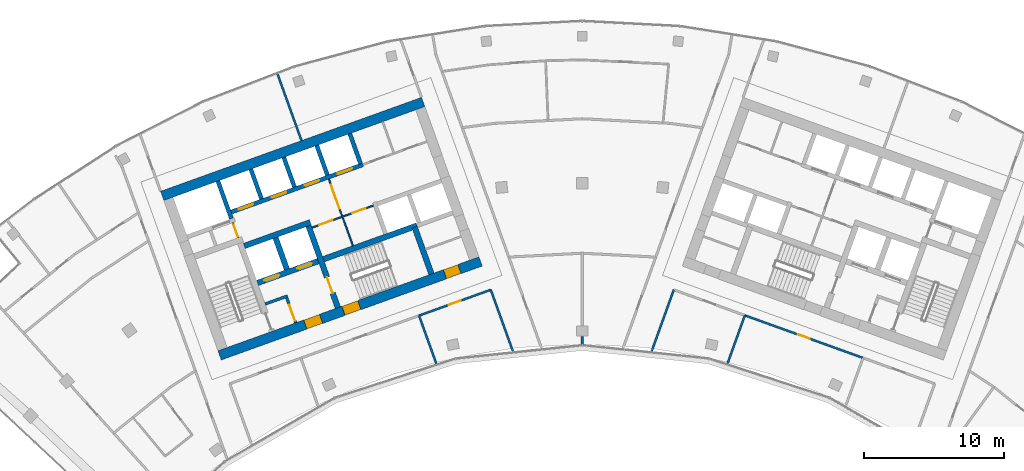
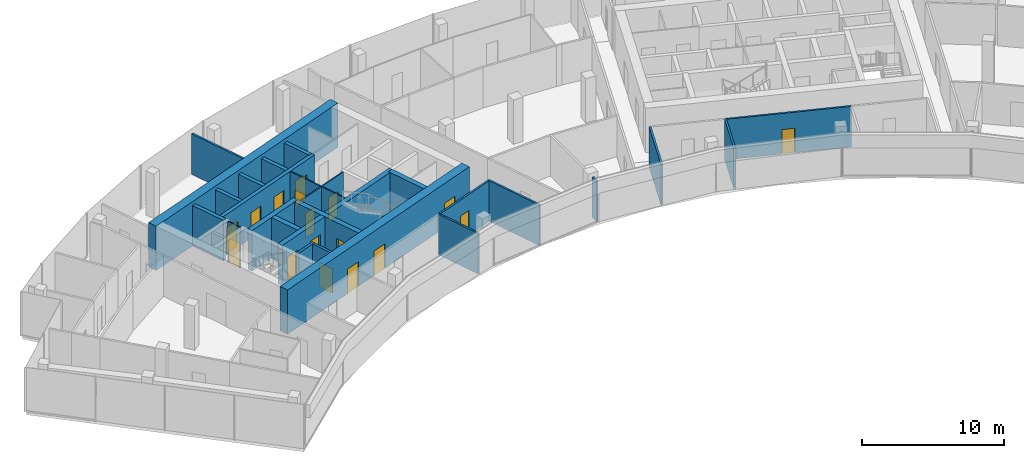
# One storey, part 13 of 18: 26 walls, 17 doors, 17 openings.
"""IFC4 building model written with IfcOpenShell, lengths in metres."""

from ifc_helpers import new_model, si_unit, direction, frame, frame_2d, origin, place, context, subcontext, project, spatial, rectangle, extrude, material, layer, layer_set, type_object, element, fill, save


model = new_model("IFC4")

# Units and contexts
model_context = context("Model", 3, precision=1e-05, world=origin(), true_north=direction((0.0, 1.0)))
body_context = subcontext(model_context, "Body", "Model", "MODEL_VIEW")
ifc_project = project(units=[si_unit("LENGTHUNIT", "METRE"), si_unit("AREAUNIT", "SQUARE_METRE"), si_unit("VOLUMEUNIT", "CUBIC_METRE"), si_unit("PLANEANGLEUNIT", "RADIAN"), si_unit("MASSUNIT", "GRAM", prefix="KILO")], contexts=[model_context])

# Site, building, storey
site_placement = place(None, origin())
site = spatial("IfcSite", under=ifc_project, at=site_placement, CompositionType="ELEMENT")
building_placement = place(site_placement, origin())
building = spatial("IfcBuilding", under=site, at=building_placement, Name="Stone Belt Terrace Tower", CompositionType="ELEMENT")
storey_placement = place(building_placement, frame((0.0, 0.0, 261.800048828125)))
storey = spatial("IfcBuildingStorey", under=building, at=storey_placement, Name="L63", CompositionType="ELEMENT", Elevation=261.800048828125)

# Wall, opening, door
ifc_material_1 = material(Name="Plasterboard partition")
ifc_layer_1 = layer(ifc_material_1, 0.10009765625)
ifc_layer_set_1 = layer_set([ifc_layer_1], Name="Core partition 100")
wall_type_1 = type_object("IfcWallType", Name="Core partition 100", PredefinedType="PARTITIONING", material=ifc_layer_set_1)
wall_1_placement = place(storey_placement, frame((-24.555908203125, 51.10400390625, 0.0), z_axis=(0.0, 0.0, 1.0), x_axis=(-0.338621735342, 0.94092258999, 0.0)))
wall_1 = element("IfcWall", 1, at=wall_1_placement, inside=storey, type_object=wall_type_1, Name="Core A wall", PredefinedType="PARTITIONING", context=body_context, shape_type="SweptSolid", body=[
    extrude(rectangle(XDim=1.14990234375, YDim=0.10009765625, at=frame_2d((0.574951171875, 0.0))), origin(), (0.0, 0.0, 1.0), 3.47998046875),
])
opening_1_placement = place(wall_1_placement, frame((0.050048828125, 0.0, 0.0)))
opening_1 = element("IfcOpeningElement", 2, at=opening_1_placement, cuts=wall_1, Name="Opening L63-C06", PredefinedType="OPENING", context=body_context, shape_type="SweptSolid", body=[
    extrude(rectangle(XDim=1.0, YDim=2.10009765625, at=frame_2d((0.5, 1.050048828125))), frame((0.0, 0.06005859375, 0.0), z_axis=(0.0, -1.0, 0.0), x_axis=(1.0, 0.0, 0.0)), (0.0, 0.0, 1.0), 0.1201171875),
])
ifc_material_2 = material(Name="Timber door leaf", Category="wood")
door_type_1 = type_object("IfcDoorType", Name="Core room door 1000", OperationType="SINGLE_SWING_LEFT", PredefinedType="DOOR", material=ifc_material_2)
door_1_placement = place(opening_1_placement, origin())
door_1 = element("IfcDoor", 3, at=door_1_placement, inside=storey, type_object=door_type_1, Name="Service lift lobby door core A", OperationType="SINGLE_SWING_RIGHT", OverallHeight=2.10009765625, OverallWidth=1.0, PredefinedType="DOOR", context=body_context, shape_type="SweptSolid", body=[
    extrude(rectangle(XDim=1.0, YDim=2.10009765625, at=frame_2d((0.5, 1.050048828125))), frame((0.0, 0.02490234375, 0.0), z_axis=(0.0, -1.0, 0.0), x_axis=(1.0, 0.0, 0.0)), (0.0, 0.0, 1.0), 0.050048828125),
])
fill(opening_1, door_1)

# Wall, openings, doors
wall_2_placement = place(storey_placement, frame((-19.29052734375, 51.829833984375, 0.0), z_axis=(0.0, 0.0, 1.0), x_axis=(0.940930240745, 0.338600475563, 0.0)))
wall_2 = element("IfcWall", 4, at=wall_2_placement, inside=storey, type_object=wall_type_1, Name="Core A wall", PredefinedType="PARTITIONING", context=body_context, shape_type="SweptSolid", body=[
    extrude(rectangle(XDim=4.64990234375, YDim=0.10009765625, at=frame_2d((2.324951171875, 0.0))), origin(), (0.0, 0.0, 1.0), 3.47998046875),
])
opening_2_placement = place(wall_2_placement, frame((0.550048828125, 0.0, 0.0)))
opening_2 = element("IfcOpeningElement", 5, at=opening_2_placement, cuts=wall_2, Name="Opening L63-C03", PredefinedType="OPENING", context=body_context, shape_type="SweptSolid", body=[
    extrude(rectangle(XDim=1.0, YDim=2.10009765625, at=frame_2d((0.5, 1.050048828125))), frame((0.0, 0.06005859375, 0.0), z_axis=(0.0, -1.0, 0.0), x_axis=(1.0, 0.0, 0.0)), (0.0, 0.0, 1.0), 0.1201171875),
])
opening_3_placement = place(wall_2_placement, frame((3.050048828125, 0.0, 0.0)))
opening_3 = element("IfcOpeningElement", 6, at=opening_3_placement, cuts=wall_2, Name="Opening L63-C04", PredefinedType="OPENING", context=body_context, shape_type="SweptSolid", body=[
    extrude(rectangle(XDim=1.0, YDim=2.10009765625, at=frame_2d((0.5, 1.050048828125))), frame((0.0, 0.06005859375, 0.0), z_axis=(0.0, -1.0, 0.0), x_axis=(1.0, 0.0, 0.0)), (0.0, 0.0, 1.0), 0.1201171875),
])
door_2_placement = place(opening_2_placement, origin())
door_2 = element("IfcDoor", 7, at=door_2_placement, inside=storey, type_object=door_type_1, Name="Door to Housekeeping store core A", OperationType="SINGLE_SWING_RIGHT", OverallHeight=2.10009765625, OverallWidth=1.0, PredefinedType="DOOR", context=body_context, shape_type="SweptSolid", body=[
    extrude(rectangle(XDim=1.0, YDim=2.10009765625, at=frame_2d((0.5, 1.050048828125))), frame((0.0, 0.02490234375, 0.0), z_axis=(0.0, -1.0, 0.0), x_axis=(1.0, 0.0, 0.0)), (0.0, 0.0, 1.0), 0.050048828125),
])
fill(opening_2, door_2)
door_3_placement = place(opening_3_placement, origin())
door_3 = element("IfcDoor", 8, at=door_3_placement, inside=storey, type_object=door_type_1, Name="Door to Tenant storage room core A", OperationType="SINGLE_SWING_LEFT", OverallHeight=2.10009765625, OverallWidth=1.0, PredefinedType="DOOR", context=body_context, shape_type="SweptSolid", body=[
    extrude(rectangle(XDim=1.0, YDim=2.10009765625, at=frame_2d((0.5, 1.050048828125))), frame((0.0, 0.02490234375, 0.0), z_axis=(0.0, -1.0, 0.0), x_axis=(1.0, 0.0, 0.0)), (0.0, 0.0, 1.0), 0.050048828125),
])
fill(opening_3, door_3)

# Wall, opening, door
wall_3_placement = place(storey_placement, frame((-16.38134765625, 50.53857421875, 0.0), z_axis=(0.0, 0.0, 1.0), x_axis=(-0.33860476744, 0.940928696271, 0.0)))
wall_3 = element("IfcWall", 9, at=wall_3_placement, inside=storey, type_object=wall_type_1, Name="Core A wall", PredefinedType="PARTITIONING", context=body_context, shape_type="SweptSolid", body=[
    extrude(rectangle(XDim=5.050048828125, YDim=0.10009765625, at=frame_2d((2.52490234375, 0.0))), origin(), (0.0, 0.0, 1.0), 3.47998046875),
])
opening_4_placement = place(wall_3_placement, frame((2.800048828125, 0.0, 0.0)))
opening_4 = element("IfcOpeningElement", 10, at=opening_4_placement, cuts=wall_3, Name="Opening L63-C07", PredefinedType="OPENING", context=body_context, shape_type="SweptSolid", body=[
    extrude(rectangle(XDim=1.800048828125, YDim=2.10009765625, at=frame_2d((0.89990234375, 1.050048828125))), frame((0.0, 0.06005859375, 0.0), z_axis=(0.0, -1.0, 0.0), x_axis=(1.0, 0.0, 0.0)), (0.0, 0.0, 1.0), 0.1201171875),
])
ifc_material_3 = material(Name="Glazed aluminium door leaf", Category="aluminium")
door_type_2 = type_object("IfcDoorType", Name="Lift lobby entrance door 1800", OperationType="DOUBLE_DOOR_SINGLE_SWING", PredefinedType="DOOR", material=ifc_material_3)
door_4_placement = place(opening_4_placement, origin())
door_4 = element("IfcDoor", 11, at=door_4_placement, inside=storey, type_object=door_type_2, Name="Lift lobby double door core A", OperationType="DOUBLE_DOOR_SINGLE_SWING", OverallHeight=2.10009765625, OverallWidth=1.800048828125, PredefinedType="DOOR", context=body_context, shape_type="SweptSolid", body=[
    extrude(rectangle(XDim=1.800048828125, YDim=2.10009765625, at=frame_2d((0.89990234375, 1.050048828125))), frame((0.0, 0.02490234375, 0.0), z_axis=(0.0, -1.0, 0.0), x_axis=(1.0, 0.0, 0.0)), (0.0, 0.0, 1.0), 0.050048828125),
])
fill(opening_4, door_4)

# Wall, openings, doors
ifc_material_4 = material(Name="Concrete B60", Category="concrete")
ifc_layer_2 = layer(ifc_material_4, 0.699951171875)
ifc_layer_set_2 = layer_set([ifc_layer_2], Name="Core wall 700 B60")
wall_type_2 = type_object("IfcWallType", Name="Core wall 700 B60", PredefinedType="SHEAR", material=ifc_layer_set_2)
wall_4_placement = place(storey_placement, frame((-25.890869140625, 42.705810546875, 0.0), z_axis=(0.0, 0.0, 1.0), x_axis=(0.940925130461, 0.338614676094, 0.0)))
wall_4 = element("IfcWall", 12, at=wall_4_placement, inside=storey, type_object=wall_type_2, Name="Core A wall concave L63", PredefinedType="SHEAR", context=body_context, shape_type="SweptSolid", body=[
    extrude(rectangle(XDim=19.800048828125, YDim=0.699951171875, at=frame_2d((9.89990234375, 0.0))), origin(), (0.0, 0.0, 1.0), 3.800048828125),
])
opening_5_placement = place(wall_4_placement, frame((6.5, 0.0, 0.0)))
opening_5 = element("IfcOpeningElement", 13, at=opening_5_placement, cuts=wall_4, Name="Opening L63-C11", PredefinedType="OPENING", context=body_context, shape_type="SweptSolid", body=[
    extrude(rectangle(XDim=1.199951171875, YDim=2.10009765625, at=frame_2d((0.60009765625, 1.050048828125))), frame((0.0, 0.35986328125, 0.0), z_axis=(0.0, -1.0, 0.0), x_axis=(1.0, 0.0, 0.0)), (0.0, 0.0, 1.0), 0.719970703125),
])
opening_6_placement = place(wall_4_placement, frame((9.39990234375, 0.0, 0.0)))
opening_6 = element("IfcOpeningElement", 14, at=opening_6_placement, cuts=wall_4, Name="Opening L63-C13", PredefinedType="OPENING", context=body_context, shape_type="SweptSolid", body=[
    extrude(rectangle(XDim=1.199951171875, YDim=2.10009765625, at=frame_2d((0.60009765625, 1.050048828125))), frame((0.0, 0.35986328125, 0.0), z_axis=(0.0, -1.0, 0.0), x_axis=(1.0, 0.0, 0.0)), (0.0, 0.0, 1.0), 0.719970703125),
])
opening_7_placement = place(wall_4_placement, frame((17.10009765625, 0.0, 0.0)))
opening_7 = element("IfcOpeningElement", 15, at=opening_7_placement, cuts=wall_4, Name="Opening L63-C15", PredefinedType="OPENING", context=body_context, shape_type="SweptSolid", body=[
    extrude(rectangle(XDim=1.10009765625, YDim=2.10009765625, at=frame_2d((0.550048828125, 1.050048828125))), frame((0.0, 0.35986328125, 0.0), z_axis=(0.0, -1.0, 0.0), x_axis=(1.0, 0.0, 0.0)), (0.0, 0.0, 1.0), 0.719970703125),
])
door_type_3 = type_object("IfcDoorType", Name="Core room door 1100", OperationType="SINGLE_SWING_LEFT", PredefinedType="DOOR", material=ifc_material_2)
door_5_placement = place(opening_7_placement, origin())
door_5 = element("IfcDoor", 16, at=door_5_placement, inside=storey, type_object=door_type_3, Name="Door to Cleaner's store core A", OperationType="SINGLE_SWING_RIGHT", OverallHeight=2.10009765625, OverallWidth=1.10009765625, PredefinedType="DOOR", context=body_context, shape_type="SweptSolid", body=[
    extrude(rectangle(XDim=1.10009765625, YDim=2.10009765625, at=frame_2d((0.550048828125, 1.050048828125))), frame((0.0, 0.330078125, 0.0), z_axis=(0.0, -1.0, 0.0), x_axis=(1.0, 0.0, 0.0)), (0.0, 0.0, 1.0), 0.659912109375),
])
fill(opening_7, door_5)
ifc_material_5 = material(Name="Steel door leaf", Category="steel")
door_type_4 = type_object("IfcDoorType", Name="Fire-fighting lobby door 1200", OperationType="SINGLE_SWING_LEFT", PredefinedType="DOOR", material=ifc_material_5)
door_6_placement = place(opening_5_placement, origin())
door_6 = element("IfcDoor", 17, at=door_6_placement, inside=storey, type_object=door_type_4, Name="Fire-fighting lobby door core A", OperationType="SINGLE_SWING_RIGHT", OverallHeight=2.10009765625, OverallWidth=1.199951171875, PredefinedType="DOOR", context=body_context, shape_type="SweptSolid", body=[
    extrude(rectangle(XDim=1.199951171875, YDim=2.10009765625, at=frame_2d((0.60009765625, 1.050048828125))), frame((0.0, 0.330078125, 0.0), z_axis=(0.0, -1.0, 0.0), x_axis=(1.0, 0.0, 0.0)), (0.0, 0.0, 1.0), 0.659912109375),
])
fill(opening_5, door_6)
door_type_5 = type_object("IfcDoorType", Name="Stair door 1200", OperationType="SINGLE_SWING_LEFT", PredefinedType="DOOR", material=ifc_material_5)
door_7_placement = place(opening_6_placement, origin())
door_7 = element("IfcDoor", 18, at=door_7_placement, inside=storey, type_object=door_type_5, Name="Stair 2 exit door core A", OperationType="SINGLE_SWING_LEFT", OverallHeight=2.10009765625, OverallWidth=1.199951171875, PredefinedType="DOOR", context=body_context, shape_type="SweptSolid", body=[
    extrude(rectangle(XDim=1.199951171875, YDim=2.10009765625, at=frame_2d((0.60009765625, 1.050048828125))), frame((0.0, 0.330078125, 0.0), z_axis=(0.0, -1.0, 0.0), x_axis=(1.0, 0.0, 0.0)), (0.0, 0.0, 1.0), 0.659912109375),
])
fill(opening_6, door_7)

# Walls
wall_5_placement = place(storey_placement, frame((-29.988037109375, 54.0908203125, 0.0), z_axis=(0.0, 0.0, 1.0), x_axis=(0.940919787944, 0.33862952124, 0.0)))
element("IfcWall", 19, at=wall_5_placement, inside=storey, type_object=wall_type_2, Name="Core A wall convex L63", PredefinedType="SHEAR", context=body_context, shape_type="SweptSolid", body=[
    extrude(rectangle(XDim=19.7998046875, YDim=0.699951171875, at=frame_2d((9.89990234375, 0.0))), origin(), (0.0, 0.0, 1.0), 3.800048828125),
])
ifc_material_6 = material(Name="Concrete B80", Category="concrete")
ifc_layer_3 = layer(ifc_material_6, 0.39990234375)
ifc_layer_set_3 = layer_set([ifc_layer_3], Name="Fire-fighting lift shaft wall 400")
wall_type_3 = type_object("IfcWallType", Name="Fire-fighting lift shaft wall 400", PredefinedType="SHEAR", material=ifc_layer_set_3)
wall_6_placement = place(storey_placement, frame((-24.130615234375, 50.512939453125, 0.0), z_axis=(0.0, 0.0, 1.0), x_axis=(0.94091168377, 0.338652038744, 0.0)))
element("IfcWall", 20, at=wall_6_placement, inside=storey, type_object=wall_type_3, Name="Core A wall", PredefinedType="SHEAR", context=body_context, shape_type="SweptSolid", body=[
    extrude(rectangle(XDim=5.000244140625, YDim=0.39990234375, at=frame_2d((2.5, 0.0))), origin(), (0.0, 0.0, 1.0), 3.47998046875),
])
wall_7_placement = place(storey_placement, frame((-21.0859375, 48.845458984375, 0.0), z_axis=(0.0, 0.0, 1.0), x_axis=(-0.338629416206, 0.940919825745, 0.0)))
element("IfcWall", 21, at=wall_7_placement, inside=storey, type_object=wall_type_3, Name="Core A wall", PredefinedType="SHEAR", context=body_context, shape_type="SweptSolid", body=[
    extrude(rectangle(XDim=2.400146484375, YDim=0.39990234375, at=frame_2d((1.2001953125, 0.0))), origin(), (0.0, 0.0, 1.0), 3.47998046875),
])
ifc_layer_4 = layer(ifc_material_6, 0.300048828125)
ifc_layer_set_4 = layer_set([ifc_layer_4], Name="Lift shaft wall 300")
wall_type_4 = type_object("IfcWallType", Name="Lift shaft wall 300", PredefinedType="SHEAR", material=ifc_layer_set_4)
wall_8_placement = place(storey_placement, frame((-25.046875, 52.46826171875, 0.0), z_axis=(0.0, 0.0, 1.0), x_axis=(-0.338549588058, 0.940948551423, 0.0)))
element("IfcWall", 22, at=wall_8_placement, inside=storey, type_object=wall_type_4, Name="Core A wall", PredefinedType="SHEAR", context=body_context, shape_type="SweptSolid", body=[
    extrude(rectangle(XDim=2.849853515625, YDim=0.300048828125, at=frame_2d((1.4248046875, 0.0))), origin(), (0.0, 0.0, 1.0), 3.47998046875),
])

# Wall, openings, doors
wall_9_placement = place(storey_placement, frame((-25.05810546875, 52.9423828125, 0.0), z_axis=(0.0, 0.0, 1.0), x_axis=(0.940924441602, 0.338616590255, 0.0)))
wall_9 = element("IfcWall", 23, at=wall_9_placement, inside=storey, type_object=wall_type_4, Name="Core A wall", PredefinedType="SHEAR", context=body_context, shape_type="SweptSolid", body=[
    extrude(rectangle(XDim=10.000244140625, YDim=0.300048828125, at=frame_2d((5.0, 0.0))), origin(), (0.0, 0.0, 1.0), 3.47998046875),
])
opening_8_placement = place(wall_9_placement, frame((0.570068359375, 0.0, 0.0)))
opening_8 = element("IfcOpeningElement", 24, at=opening_8_placement, cuts=wall_9, Name="Opening L63-LD01", PredefinedType="OPENING", context=body_context, shape_type="SweptSolid", body=[
    extrude(rectangle(XDim=1.10009765625, YDim=2.199951171875, at=frame_2d((0.550048828125, 1.10009765625))), frame((0.0, 0.159912109375, 0.0), z_axis=(0.0, -1.0, 0.0), x_axis=(1.0, 0.0, 0.0)), (0.0, 0.0, 1.0), 0.320068359375),
])
opening_9_placement = place(wall_9_placement, frame((3.070068359375, 0.0, 0.0)))
opening_9 = element("IfcOpeningElement", 25, at=opening_9_placement, cuts=wall_9, Name="Opening L63-LD02", PredefinedType="OPENING", context=body_context, shape_type="SweptSolid", body=[
    extrude(rectangle(XDim=1.10009765625, YDim=2.199951171875, at=frame_2d((0.550048828125, 1.10009765625))), frame((0.0, 0.159912109375, 0.0), z_axis=(0.0, -1.0, 0.0), x_axis=(1.0, 0.0, 0.0)), (0.0, 0.0, 1.0), 0.320068359375),
])
opening_10_placement = place(wall_9_placement, frame((5.570068359375, 0.0, 0.0)))
opening_10 = element("IfcOpeningElement", 26, at=opening_10_placement, cuts=wall_9, Name="Opening L63-LD03", PredefinedType="OPENING", context=body_context, shape_type="SweptSolid", body=[
    extrude(rectangle(XDim=1.10009765625, YDim=2.199951171875, at=frame_2d((0.550048828125, 1.10009765625))), frame((0.0, 0.159912109375, 0.0), z_axis=(0.0, -1.0, 0.0), x_axis=(1.0, 0.0, 0.0)), (0.0, 0.0, 1.0), 0.320068359375),
])
opening_11_placement = place(wall_9_placement, frame((8.070068359375, 0.0, 0.0)))
opening_11 = element("IfcOpeningElement", 27, at=opening_11_placement, cuts=wall_9, Name="Opening L63-LD04", PredefinedType="OPENING", context=body_context, shape_type="SweptSolid", body=[
    extrude(rectangle(XDim=1.10009765625, YDim=2.199951171875, at=frame_2d((0.550048828125, 1.10009765625))), frame((0.0, 0.159912109375, 0.0), z_axis=(0.0, -1.0, 0.0), x_axis=(1.0, 0.0, 0.0)), (0.0, 0.0, 1.0), 0.320068359375),
])
ifc_material_7 = material(Name="Stainless steel door leaf", Category="steel")
door_type_6 = type_object("IfcDoorType", Name="Landing door 1100", OperationType="SLIDING_TO_LEFT", PredefinedType="DOOR", material=ifc_material_7)
door_8_placement = place(opening_8_placement, origin())
door_8 = element("IfcDoor", 28, at=door_8_placement, inside=storey, type_object=door_type_6, Name="Landing door HR1 core A", OperationType="SLIDING_TO_LEFT", OverallHeight=2.199951171875, OverallWidth=1.10009765625, PredefinedType="DOOR", context=body_context, shape_type="SweptSolid", body=[
    extrude(rectangle(XDim=1.10009765625, YDim=2.199951171875, at=frame_2d((0.550048828125, 1.10009765625))), frame((0.0, 0.02490234375, 0.0), z_axis=(0.0, -1.0, 0.0), x_axis=(1.0, 0.0, 0.0)), (0.0, 0.0, 1.0), 0.050048828125),
])
fill(opening_8, door_8)
door_9_placement = place(opening_9_placement, origin())
door_9 = element("IfcDoor", 29, at=door_9_placement, inside=storey, type_object=door_type_6, Name="Landing door HR2 core A", OperationType="SLIDING_TO_LEFT", OverallHeight=2.199951171875, OverallWidth=1.10009765625, PredefinedType="DOOR", context=body_context, shape_type="SweptSolid", body=[
    extrude(rectangle(XDim=1.10009765625, YDim=2.199951171875, at=frame_2d((0.550048828125, 1.10009765625))), frame((0.0, 0.02490234375, 0.0), z_axis=(0.0, -1.0, 0.0), x_axis=(1.0, 0.0, 0.0)), (0.0, 0.0, 1.0), 0.050048828125),
])
fill(opening_9, door_9)
door_10_placement = place(opening_10_placement, origin())
door_10 = element("IfcDoor", 30, at=door_10_placement, inside=storey, type_object=door_type_6, Name="Landing door HR3 core A", OperationType="SLIDING_TO_LEFT", OverallHeight=2.199951171875, OverallWidth=1.10009765625, PredefinedType="DOOR", context=body_context, shape_type="SweptSolid", body=[
    extrude(rectangle(XDim=1.10009765625, YDim=2.199951171875, at=frame_2d((0.550048828125, 1.10009765625))), frame((0.0, 0.02490234375, 0.0), z_axis=(0.0, -1.0, 0.0), x_axis=(1.0, 0.0, 0.0)), (0.0, 0.0, 1.0), 0.050048828125),
])
fill(opening_10, door_10)
door_11_placement = place(opening_11_placement, origin())
door_11 = element("IfcDoor", 31, at=door_11_placement, inside=storey, type_object=door_type_6, Name="Landing door HR4 core A", OperationType="SLIDING_TO_LEFT", OverallHeight=2.199951171875, OverallWidth=1.10009765625, PredefinedType="DOOR", context=body_context, shape_type="SweptSolid", body=[
    extrude(rectangle(XDim=1.10009765625, YDim=2.199951171875, at=frame_2d((0.550048828125, 1.10009765625))), frame((0.0, 0.02490234375, 0.0), z_axis=(0.0, -1.0, 0.0), x_axis=(1.0, 0.0, 0.0)), (0.0, 0.0, 1.0), 0.050048828125),
])
fill(opening_11, door_11)

# Walls
wall_10_placement = place(storey_placement, frame((-22.897705078125, 53.87939453125, 0.0), z_axis=(0.0, 0.0, 1.0), x_axis=(-0.338535034312, 0.940953787677, 0.0)))
element("IfcWall", 32, at=wall_10_placement, inside=storey, type_object=wall_type_4, Name="Core A wall", PredefinedType="SHEAR", context=body_context, shape_type="SweptSolid", body=[
    extrude(rectangle(XDim=2.25, YDim=0.300048828125, at=frame_2d((1.125, 0.0))), origin(), (0.0, 0.0, 1.0), 3.47998046875),
])
wall_11_placement = place(storey_placement, frame((-20.54541015625, 54.72607421875, 0.0), z_axis=(0.0, 0.0, 1.0), x_axis=(-0.338569601369, 0.940941350472, 0.0)))
element("IfcWall", 33, at=wall_11_placement, inside=storey, type_object=wall_type_4, Name="Core A wall", PredefinedType="SHEAR", context=body_context, shape_type="SweptSolid", body=[
    extrude(rectangle(XDim=2.249755859375, YDim=0.300048828125, at=frame_2d((1.125, 0.0))), origin(), (0.0, 0.0, 1.0), 3.47998046875),
])
wall_12_placement = place(storey_placement, frame((-18.193115234375, 55.572509765625, 0.0), z_axis=(0.0, 0.0, 1.0), x_axis=(-0.338535034312, 0.940953787677, 0.0)))
element("IfcWall", 34, at=wall_12_placement, inside=storey, type_object=wall_type_4, Name="Core A wall", PredefinedType="SHEAR", context=body_context, shape_type="SweptSolid", body=[
    extrude(rectangle(XDim=2.25, YDim=0.300048828125, at=frame_2d((1.125, 0.0))), origin(), (0.0, 0.0, 1.0), 3.47998046875),
])
wall_13_placement = place(storey_placement, frame((-15.82373046875, 56.3720703125, 0.0), z_axis=(0.0, 0.0, 1.0), x_axis=(-0.338621735342, 0.94092258999, 0.0)))
element("IfcWall", 35, at=wall_13_placement, inside=storey, type_object=wall_type_4, Name="Core A wall", PredefinedType="SHEAR", context=body_context, shape_type="SweptSolid", body=[
    extrude(rectangle(XDim=2.300048828125, YDim=0.300048828125, at=frame_2d((1.14990234375, 0.0))), origin(), (0.0, 0.0, 1.0), 3.47998046875),
])
ifc_material_8 = material(Name="Gypsum board partition")
ifc_layer_5 = layer(ifc_material_8, 0.14990234375)
ifc_layer_set_5 = layer_set([ifc_layer_5], Name="PARTITION 150 EI 60")
wall_type_5 = type_object("IfcWallType", Name="PARTITION 150 EI 60", PredefinedType="PARTITIONING", material=ifc_layer_set_5)
wall_14_placement = place(storey_placement, frame((-4.946044921875, 42.980224609375, 0.0), z_axis=(0.0, 0.0, 1.0), x_axis=(-0.338699196287, 0.940894709537, 0.0)))
element("IfcWall", 36, at=wall_14_placement, inside=storey, type_object=wall_type_5, Name="L63/wall/i009", PredefinedType="PARTITIONING", context=body_context, shape_type="SweptSolid", body=[
    extrude(rectangle(XDim=4.691162109375, YDim=0.14990234375, at=frame_2d((2.345703125, 0.0))), origin(), (0.0, 0.0, 1.0), 3.47998046875),
])

# Wall, opening, door
wall_15_placement = place(storey_placement, frame((-6.532958984375, 47.387939453125, 0.0), z_axis=(0.0, 0.0, 1.0), x_axis=(-0.940930243135, -0.338600468922, 0.0)))
wall_15 = element("IfcWall", 37, at=wall_15_placement, inside=storey, type_object=wall_type_5, Name="L63/wall/i018", PredefinedType="PARTITIONING", context=body_context, shape_type="SweptSolid", body=[
    extrude(rectangle(XDim=5.44873046875, YDim=0.14990234375, at=frame_2d((2.724365234375, 0.0))), origin(), (0.0, 0.0, 1.0), 3.47998046875),
])
opening_12_placement = place(wall_15_placement, frame((2.2744140625, 0.0, 0.0)))
opening_12 = element("IfcOpeningElement", 38, at=opening_12_placement, cuts=wall_15, Name="Opening D-E1-03", PredefinedType="OPENING", context=body_context, shape_type="SweptSolid", body=[
    extrude(rectangle(XDim=0.89990234375, YDim=2.10009765625, at=frame_2d((0.449951171875, 1.050048828125))), frame((0.0, 0.0849609375, 0.0), z_axis=(0.0, -1.0, 0.0), x_axis=(1.0, 0.0, 0.0)), (0.0, 0.0, 1.0), 0.169921875),
])
door_type_7 = type_object("IfcDoorType", Name="OFFICE DOOR 900 X 2100", OperationType="NOTDEFINED", PredefinedType="DOOR", material=ifc_material_2)
door_12_placement = place(opening_12_placement, origin())
door_12 = element("IfcDoor", 39, at=door_12_placement, inside=storey, type_object=door_type_7, Name="L63/door/i03", OperationType="SINGLE_SWING_RIGHT", OverallHeight=2.10009765625, OverallWidth=0.89990234375, PredefinedType="DOOR", context=body_context, shape_type="SweptSolid", body=[
    extrude(rectangle(XDim=0.89990234375, YDim=2.10009765625, at=frame_2d((0.449951171875, 1.050048828125))), frame((0.0, 0.02490234375, 0.0), z_axis=(0.0, -1.0, 0.0), x_axis=(1.0, 0.0, 0.0)), (0.0, 0.0, 1.0), 0.050048828125),
])
fill(opening_12, door_12)

# Walls
wall_16_placement = place(storey_placement, frame((-11.654052734375, 45.5439453125, 0.0), z_axis=(0.0, 0.0, 1.0), x_axis=(0.33873365489, -0.940882304566, 0.0)))
element("IfcWall", 40, at=wall_16_placement, inside=storey, type_object=wall_type_5, Name="L63/wall/i020", PredefinedType="PARTITIONING", context=body_context, shape_type="SweptSolid", body=[
    extrude(rectangle(XDim=3.65625, YDim=0.14990234375, at=frame_2d((1.828125, 0.0))), origin(), (0.0, 0.0, 1.0), 3.47998046875),
])
wall_17_placement = place(storey_placement, frame((-21.7529296875, 62.783203125, 0.0), z_axis=(0.0, 0.0, 1.0), x_axis=(0.338692023406, -0.940897291568, 0.0)))
element("IfcWall", 41, at=wall_17_placement, inside=storey, type_object=wall_type_5, Name="L63/wall/i021", PredefinedType="PARTITIONING", context=body_context, shape_type="SweptSolid", body=[
    extrude(rectangle(XDim=5.0400390625, YDim=0.14990234375, at=frame_2d((2.52001953125, 0.0))), origin(), (0.0, 0.0, 1.0), 3.47998046875),
])
wall_18_placement = place(storey_placement, frame((6.534912109375, 47.39404296875, 0.0), z_axis=(0.0, 0.0, 1.0), x_axis=(-0.338699196287, -0.940894709537, 0.0)))
element("IfcWall", 42, at=wall_18_placement, inside=storey, type_object=wall_type_5, Name="L63/wall/i022", PredefinedType="PARTITIONING", context=body_context, shape_type="SweptSolid", body=[
    extrude(rectangle(XDim=4.691162109375, YDim=0.14990234375, at=frame_2d((2.345703125, 0.0))), origin(), (0.0, 0.0, 1.0), 3.47998046875),
])

# Wall, opening, door
wall_19_placement = place(storey_placement, frame((20.047119140625, 42.52392578125, 0.0), z_axis=(0.0, 0.0, 1.0), x_axis=(-0.9409189555, 0.338631834269, 0.0)))
wall_19 = element("IfcWall", 43, at=wall_19_placement, inside=storey, type_object=wall_type_5, Name="L63/wall/i037", PredefinedType="PARTITIONING", context=body_context, shape_type="SweptSolid", body=[
    extrude(rectangle(XDim=8.977294921875, YDim=0.14990234375, at=frame_2d((4.48876953125, 0.0))), origin(), (0.0, 0.0, 1.0), 3.47998046875),
])
opening_13_placement = place(wall_19_placement, frame((4.03857421875, 0.0, 0.0)))
opening_13 = element("IfcOpeningElement", 44, at=opening_13_placement, cuts=wall_19, Name="Opening D-E1-07", PredefinedType="OPENING", context=body_context, shape_type="SweptSolid", body=[
    extrude(rectangle(XDim=0.89990234375, YDim=2.10009765625, at=frame_2d((0.449951171875, 1.050048828125))), frame((0.0, 0.0849609375, 0.0), z_axis=(0.0, -1.0, 0.0), x_axis=(1.0, 0.0, 0.0)), (0.0, 0.0, 1.0), 0.169921875),
])
door_13_placement = place(opening_13_placement, origin())
door_13 = element("IfcDoor", 45, at=door_13_placement, inside=storey, type_object=door_type_7, Name="L63/door/i07", OperationType="SINGLE_SWING_RIGHT", OverallHeight=2.10009765625, OverallWidth=0.89990234375, PredefinedType="DOOR", context=body_context, shape_type="SweptSolid", body=[
    extrude(rectangle(XDim=0.89990234375, YDim=2.10009765625, at=frame_2d((0.449951171875, 1.050048828125))), frame((0.0, 0.02490234375, 0.0), z_axis=(0.0, -1.0, 0.0), x_axis=(1.0, 0.0, 0.0)), (0.0, 0.0, 1.0), 0.050048828125),
])
fill(opening_13, door_13)

# Walls
wall_20_placement = place(storey_placement, frame((11.60595703125, 45.56201171875, 0.0), z_axis=(0.0, 0.0, 1.0), x_axis=(-0.338520972253, -0.940958846786, 0.0)))
element("IfcWall", 46, at=wall_20_placement, inside=storey, type_object=wall_type_5, Name="L63/wall/i039", PredefinedType="PARTITIONING", context=body_context, shape_type="SweptSolid", body=[
    extrude(rectangle(XDim=3.65869140625, YDim=0.14990234375, at=frame_2d((1.829345703125, 0.0))), origin(), (0.0, 0.0, 1.0), 3.47998046875),
])
wall_21_placement = place(storey_placement, frame((0.0, 44.06494140625, 0.0), z_axis=(0.0, 0.0, 1.0), x_axis=(0.0, -1.0, 0.0)))
element("IfcWall", 47, at=wall_21_placement, inside=storey, type_object=wall_type_5, Name="L63/wall/i076", PredefinedType="PARTITIONING", context=body_context, shape_type="SweptSolid", body=[
    extrude(rectangle(XDim=0.56494140625, YDim=0.14990234375, at=frame_2d((0.282470703125, 0.0))), origin(), (0.0, 0.0, 1.0), 3.47998046875),
])
ifc_material_9 = material(Name="Concrete masonry block", Category="masonry")
ifc_layer_6 = layer(ifc_material_9, 0.199951171875)
ifc_layer_set_6 = layer_set([ifc_layer_6], Name="Rated lobby wall 200")
wall_type_6 = type_object("IfcWallType", Name="Rated lobby wall 200", PredefinedType="PARTITIONING", material=ifc_layer_set_6)
wall_22_placement = place(storey_placement, frame((-22.640625, 46.373046875, 0.0), z_axis=(0.0, 0.0, 1.0), x_axis=(0.940966110313, 0.338500781747, 0.0)))
element("IfcWall", 48, at=wall_22_placement, inside=storey, type_object=wall_type_6, Name="Core A wall", PredefinedType="PARTITIONING", context=body_context, shape_type="SweptSolid", body=[
    extrude(rectangle(XDim=1.699951171875, YDim=0.199951171875, at=frame_2d((0.85009765625, 0.0))), origin(), (0.0, 0.0, 1.0), 3.47998046875),
])

# Wall, opening, door
wall_23_placement = place(storey_placement, frame((-20.4580078125, 45.032958984375, 0.0), z_axis=(0.0, 0.0, 1.0), x_axis=(-0.338573865316, 0.940939816208, 0.0)))
wall_23 = element("IfcWall", 49, at=wall_23_placement, inside=storey, type_object=wall_type_6, Name="Core A wall", PredefinedType="PARTITIONING", context=body_context, shape_type="SweptSolid", body=[
    extrude(rectangle(XDim=1.900146484375, YDim=0.199951171875, at=frame_2d((0.9501953125, 0.0))), origin(), (0.0, 0.0, 1.0), 3.47998046875),
])
opening_14_placement = place(wall_23_placement, frame((0.14990234375, 0.0, 0.0)))
opening_14 = element("IfcOpeningElement", 50, at=opening_14_placement, cuts=wall_23, Name="Opening L63-C10", PredefinedType="OPENING", context=body_context, shape_type="SweptSolid", body=[
    extrude(rectangle(XDim=1.199951171875, YDim=2.10009765625, at=frame_2d((0.60009765625, 1.050048828125))), frame((0.0, 0.10986328125, 0.0), z_axis=(0.0, -1.0, 0.0), x_axis=(1.0, 0.0, 0.0)), (0.0, 0.0, 1.0), 0.219970703125),
])
door_14_placement = place(opening_14_placement, origin())
door_14 = element("IfcDoor", 51, at=door_14_placement, inside=storey, type_object=door_type_5, Name="Stair airlock door core A", OperationType="SINGLE_SWING_RIGHT", OverallHeight=2.10009765625, OverallWidth=1.199951171875, PredefinedType="DOOR", context=body_context, shape_type="SweptSolid", body=[
    extrude(rectangle(XDim=1.199951171875, YDim=2.10009765625, at=frame_2d((0.60009765625, 1.050048828125))), frame((0.0, 0.02490234375, 0.0), z_axis=(0.0, -1.0, 0.0), x_axis=(1.0, 0.0, 0.0)), (0.0, 0.0, 1.0), 0.050048828125),
])
fill(opening_14, door_14)

# Wall, openings, doors
ifc_layer_7 = layer(ifc_material_6, 0.39990234375)
ifc_layer_set_7 = layer_set([ifc_layer_7], Name="Stair enclosure wall 400")
wall_type_7 = type_object("IfcWallType", Name="Stair enclosure wall 400", PredefinedType="SHEAR", material=ifc_layer_set_7)
wall_24_placement = place(storey_placement, frame((-23.182373046875, 47.87841796875, 0.0), z_axis=(0.0, 0.0, 1.0), x_axis=(0.940921101762, 0.338625870628, 0.0)))
wall_24 = element("IfcWall", 52, at=wall_24_placement, inside=storey, type_object=wall_type_7, Name="Core A wall", PredefinedType="SHEAR", context=body_context, shape_type="SweptSolid", body=[
    extrude(rectangle(XDim=12.10009765625, YDim=0.39990234375, at=frame_2d((6.050048828125, 0.0))), origin(), (0.0, 0.0, 1.0), 3.47998046875),
])
opening_15_placement = place(wall_24_placement, frame((0.52001953125, 0.0, 0.0)))
opening_15 = element("IfcOpeningElement", 53, at=opening_15_placement, cuts=wall_24, Name="Opening L63-LD05", PredefinedType="OPENING", context=body_context, shape_type="SweptSolid", body=[
    extrude(rectangle(XDim=1.10009765625, YDim=2.199951171875, at=frame_2d((0.550048828125, 1.10009765625))), frame((0.0, 0.2099609375, 0.0), z_axis=(0.0, -1.0, 0.0), x_axis=(1.0, 0.0, 0.0)), (0.0, 0.0, 1.0), 0.419921875),
])
opening_16_placement = place(wall_24_placement, frame((3.02001953125, 0.0, 0.0)))
opening_16 = element("IfcOpeningElement", 54, at=opening_16_placement, cuts=wall_24, Name="Opening L63-LD06", PredefinedType="OPENING", context=body_context, shape_type="SweptSolid", body=[
    extrude(rectangle(XDim=1.10009765625, YDim=2.199951171875, at=frame_2d((0.550048828125, 1.10009765625))), frame((0.0, 0.2099609375, 0.0), z_axis=(0.0, -1.0, 0.0), x_axis=(1.0, 0.0, 0.0)), (0.0, 0.0, 1.0), 0.419921875),
])
door_15_placement = place(opening_15_placement, origin())
door_15 = element("IfcDoor", 55, at=door_15_placement, inside=storey, type_object=door_type_6, Name="Landing door FF1 core A", OperationType="SLIDING_TO_LEFT", OverallHeight=2.199951171875, OverallWidth=1.10009765625, PredefinedType="DOOR", context=body_context, shape_type="SweptSolid", body=[
    extrude(rectangle(XDim=1.10009765625, YDim=2.199951171875, at=frame_2d((0.550048828125, 1.10009765625))), frame((0.0, 0.02490234375, 0.0), z_axis=(0.0, -1.0, 0.0), x_axis=(1.0, 0.0, 0.0)), (0.0, 0.0, 1.0), 0.050048828125),
])
fill(opening_15, door_15)
door_16_placement = place(opening_16_placement, origin())
door_16 = element("IfcDoor", 56, at=door_16_placement, inside=storey, type_object=door_type_6, Name="Landing door FF2 core A", OperationType="SLIDING_TO_LEFT", OverallHeight=2.199951171875, OverallWidth=1.10009765625, PredefinedType="DOOR", context=body_context, shape_type="SweptSolid", body=[
    extrude(rectangle(XDim=1.10009765625, YDim=2.199951171875, at=frame_2d((0.550048828125, 1.10009765625))), frame((0.0, 0.02490234375, 0.0), z_axis=(0.0, -1.0, 0.0), x_axis=(1.0, 0.0, 0.0)), (0.0, 0.0, 1.0), 0.050048828125),
])
fill(opening_16, door_16)

# Wall, opening, door
wall_25_placement = place(storey_placement, frame((-17.447021484375, 46.116455078125, 0.0), z_axis=(0.0, 0.0, 1.0), x_axis=(-0.33860791464, 0.940927563707, 0.0)))
wall_25 = element("IfcWall", 57, at=wall_25_placement, inside=storey, type_object=wall_type_7, Name="Core A wall", PredefinedType="SHEAR", context=body_context, shape_type="SweptSolid", body=[
    extrude(rectangle(XDim=6.199951171875, YDim=0.39990234375, at=frame_2d((3.10009765625, 0.0))), origin(), (0.0, 0.0, 1.0), 3.47998046875),
])
opening_17_placement = place(wall_25_placement, frame((1.10009765625, 0.0, 0.0)))
opening_17 = element("IfcOpeningElement", 58, at=opening_17_placement, cuts=wall_25, Name="Opening L63-C12", PredefinedType="OPENING", context=body_context, shape_type="SweptSolid", body=[
    extrude(rectangle(XDim=1.199951171875, YDim=2.10009765625, at=frame_2d((0.60009765625, 1.050048828125))), frame((0.0, 0.2099609375, 0.0), z_axis=(0.0, -1.0, 0.0), x_axis=(1.0, 0.0, 0.0)), (0.0, 0.0, 1.0), 0.419921875),
])
door_17_placement = place(opening_17_placement, origin())
door_17 = element("IfcDoor", 59, at=door_17_placement, inside=storey, type_object=door_type_5, Name="Stair 2 door core A", OperationType="SINGLE_SWING_RIGHT", OverallHeight=2.10009765625, OverallWidth=1.199951171875, PredefinedType="DOOR", context=body_context, shape_type="SweptSolid", body=[
    extrude(rectangle(XDim=1.199951171875, YDim=2.10009765625, at=frame_2d((0.60009765625, 1.050048828125))), frame((0.0, 0.02490234375, 0.0), z_axis=(0.0, -1.0, 0.0), x_axis=(1.0, 0.0, 0.0)), (0.0, 0.0, 1.0), 0.050048828125),
])
fill(opening_17, door_17)

# Wall
wall_26_placement = place(storey_placement, frame((-10.766357421875, 48.520751953125, 0.0), z_axis=(0.0, 0.0, 1.0), x_axis=(-0.338626928157, 0.94092072117, 0.0)))
element("IfcWall", 60, at=wall_26_placement, inside=storey, type_object=wall_type_7, Name="Core A wall", PredefinedType="SHEAR", context=body_context, shape_type="SweptSolid", body=[
    extrude(rectangle(XDim=3.550048828125, YDim=0.39990234375, at=frame_2d((1.77490234375, 0.0))), origin(), (0.0, 0.0, 1.0), 3.47998046875),
])

save(model, "model.ifc")
